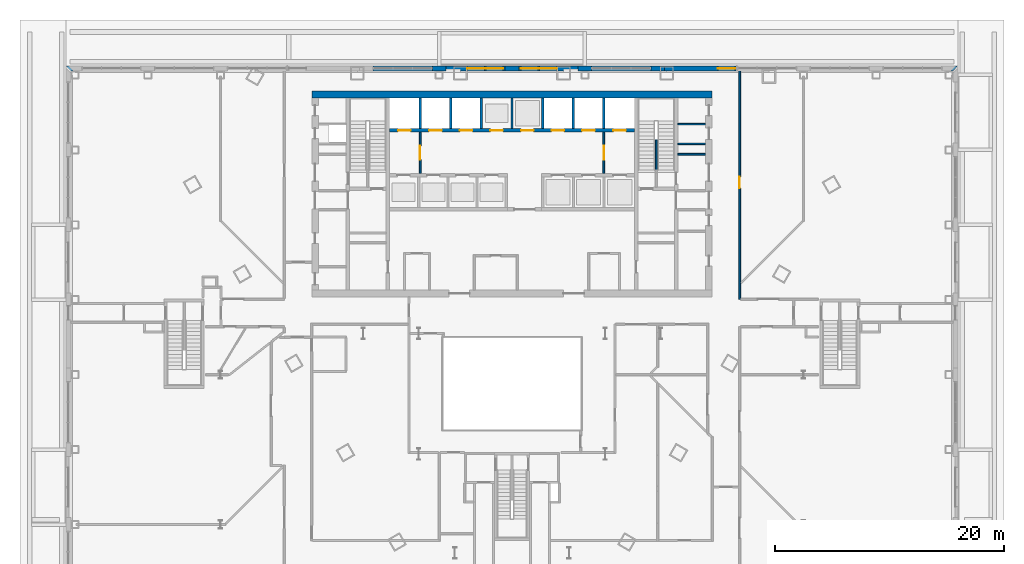
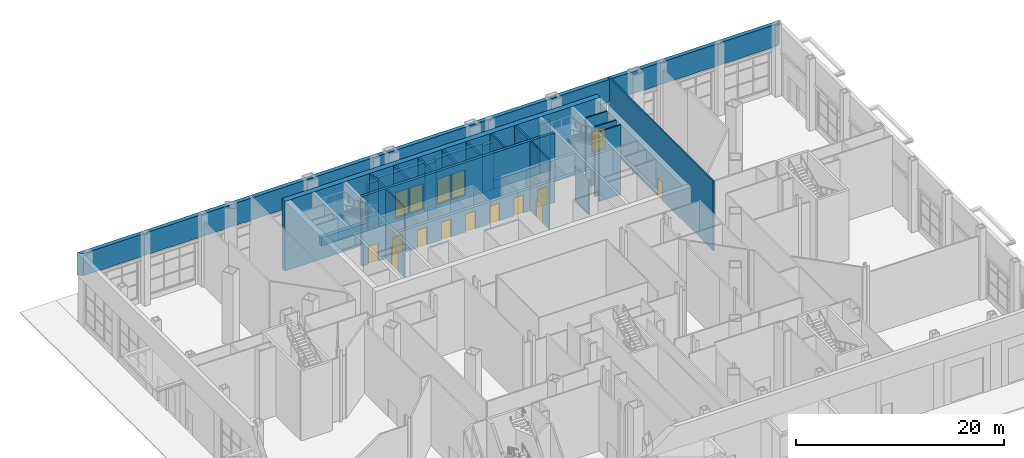
# One storey, part 22 of 34: 26 walls, 16 doors, 16 openings.
"""IFC4 building model written with IfcOpenShell, lengths in metres."""

import ifcopenshell
import ifcopenshell.guid

model = None  # the IFC model being written
_history = None  # IfcOwnerHistory: only IFC2X3 demands one
_inside = {}  # id of a spatial element -> (the spatial element, [elements in it])
_under = {}  # id of a project, library or spatial element -> (it, [spatial elements below it])
_declared = {}  # id of a project -> (the project, [libraries it declares])
_typed = {}  # id of a type object -> (the type object, [elements of that type])
_made_of = {}  # id of a material, layer set ... -> (it, [elements and type objects made of it])


def new_model(schema):
    """Start an empty IFC model of exactly this schema.

    Asked for "IFC4X3", IfcOpenShell would pick the latest addendum, in which some entities
    have other attributes; the version numbers below select the first issue.
    IFC2X3 requires an IfcOwnerHistory on every rooted entity: one is made here for all.
    """
    global model, _history
    if schema == "IFC4X3":
        model = ifcopenshell.file(schema_version=(4, 3, 0, 0))
    else:
        model = ifcopenshell.file(schema=schema)
    _inside.clear()
    _under.clear()
    _declared.clear()
    _typed.clear()
    _made_of.clear()
    _history = None
    if model.schema == "IFC2X3":
        org = make("IfcOrganization", Name="unknown")
        user = make(
            "IfcPersonAndOrganization",
            ThePerson=make("IfcPerson", FamilyName="unknown"),
            TheOrganization=org,
        )
        app = make(
            "IfcApplication",
            ApplicationDeveloper=org,
            Version="unknown",
            ApplicationFullName="unknown",
            ApplicationIdentifier="unknown",
        )
        _history = make(
            "IfcOwnerHistory",
            OwningUser=user,
            OwningApplication=app,
            ChangeAction="ADDED",
            CreationDate=0,
        )
    return model


def make(cls, **values):
    """One entity of the class cls with the attributes given. An attribute that is None is left unset."""
    return model.create_entity(
        cls, **{name: value for name, value in values.items() if value is not None}
    )


def rooted(cls, **values):
    """An entity with a GlobalId (a new one), such as an element, a storey or a relation."""
    return make(cls, GlobalId=ifcopenshell.guid.new(), OwnerHistory=_history, **values)


def si_unit(unit_type, name, prefix=None):
    """IfcSIUnit, for example si_unit("LENGTHUNIT", "METRE", prefix="MILLI")."""
    return make("IfcSIUnit", UnitType=unit_type, Prefix=prefix, Name=name)


def assignment(units):
    """IfcUnitAssignment: the units of a project."""
    return None if units is None else make("IfcUnitAssignment", Units=units)


def point(xyz):
    """IfcCartesianPoint."""
    return None if xyz is None else make("IfcCartesianPoint", Coordinates=xyz)


def direction(xyz):
    """IfcDirection."""
    return None if xyz is None else make("IfcDirection", DirectionRatios=xyz)


def frame(location, z_axis=None, x_axis=None):
    """IfcAxis2Placement3D, a coordinate frame: its origin and axes. An axis left out is left unset."""
    return make(
        "IfcAxis2Placement3D",
        Location=point(location),
        Axis=direction(z_axis),
        RefDirection=direction(x_axis),
    )


def frame_2d(location, x_axis=None):
    """IfcAxis2Placement2D, a coordinate frame in the plane: its origin and x axis."""
    return make(
        "IfcAxis2Placement2D", Location=point(location), RefDirection=direction(x_axis)
    )


def origin():
    """The frame at (0, 0, 0) with its axes left unset."""
    return frame((0.0, 0.0, 0.0))


def place(relative_to, where):
    """IfcLocalPlacement: puts the frame where relative to a parent placement (None: the world)."""
    return make(
        "IfcLocalPlacement", PlacementRelTo=relative_to, RelativePlacement=where
    )


def context(
    kind, dimensions, precision=None, world=None, true_north=None, identifier=None
):
    """IfcGeometricRepresentationContext, for example the 3D "Model" context."""
    return make(
        "IfcGeometricRepresentationContext",
        ContextIdentifier=identifier,
        ContextType=kind,
        CoordinateSpaceDimension=dimensions,
        Precision=precision,
        WorldCoordinateSystem=world,
        TrueNorth=true_north,
    )


def subcontext(parent, identifier, kind, view, scale=None):
    """IfcGeometricRepresentationSubContext, for example "Body" below "Model"."""
    return make(
        "IfcGeometricRepresentationSubContext",
        ContextIdentifier=identifier,
        ContextType=kind,
        ParentContext=parent,
        TargetScale=scale,
        TargetView=view,
    )


def project(units=None, contexts=None):
    """IfcProject with its units and contexts."""
    return rooted(
        "IfcProject",
        Name="project",
        RepresentationContexts=contexts,
        UnitsInContext=assignment(units),
    )


def spatial(cls, under=None, at=None, **own):
    """A site, building, storey or space (cls), placed at a placement, below another one or the project."""
    s = rooted(cls, ObjectPlacement=at, **own)
    if under is not None:
        _under.setdefault(under.id(), (under, []))[1].append(s)
    return s


def polyline(points):
    """IfcPolyline through the points."""
    return make("IfcPolyline", Points=[point(p) for p in points])


def profile(cls, at=None, kind="AREA", **sizes):
    """A parametric profile (cls). Its sizes go by their IFC names, for example OverallWidth=200.0."""
    return make(cls, ProfileType=kind, Position=at, **sizes)


def rectangle(**sizes):
    """IfcRectangleProfileDef."""
    return profile("IfcRectangleProfileDef", **sizes)


def outline(outer, holes=None, kind="AREA"):
    """IfcArbitraryClosedProfileDef: a profile drawn as a closed curve; with holes, ...WithVoids."""
    if holes is None:
        return make("IfcArbitraryClosedProfileDef", ProfileType=kind, OuterCurve=outer)
    return make(
        "IfcArbitraryProfileDefWithVoids",
        ProfileType=kind,
        OuterCurve=outer,
        InnerCurves=holes,
    )


def extrude(swept, where, along, depth):
    """IfcExtrudedAreaSolid: the profile swept, set in the frame where, extruded along a direction by depth."""
    return make(
        "IfcExtrudedAreaSolid",
        SweptArea=swept,
        Position=where,
        ExtrudedDirection=direction(along),
        Depth=depth,
    )


def shape(context_of_items, identifier, shape_type, items):
    """IfcShapeRepresentation: the items that make up one representation, for example the "Body"."""
    return make(
        "IfcShapeRepresentation",
        ContextOfItems=context_of_items,
        RepresentationIdentifier=identifier,
        RepresentationType=shape_type,
        Items=items,
    )


def material(Name=None, Category=None):
    """IfcMaterial."""
    return make("IfcMaterial", Name=Name, Category=Category)


def layer(
    of_material, thickness, ventilated=None, Name=None, Category=None, Priority=None
):
    """IfcMaterialLayer: one layer of a wall or slab, of a material (None: an air gap)."""
    return make(
        "IfcMaterialLayer",
        Material=of_material,
        LayerThickness=thickness,
        IsVentilated=ventilated,
        Name=Name,
        Category=Category,
        Priority=Priority,
    )


def layer_set(layers, Name=None):
    """IfcMaterialLayerSet."""
    return make("IfcMaterialLayerSet", MaterialLayers=layers, LayerSetName=Name)


def made_of(thing, what):
    """Note that an element or type object is made of a material, layer set ...; save() writes the relation."""
    if what is not None:
        _made_of.setdefault(what.id(), (what, []))[1].append(thing)
    return thing


def type_object(cls, material=None, **own):
    """A type object (cls), such as IfcWallType, which elements share."""
    return made_of(rooted(cls, **own), material)


def element(
    cls,
    number,
    at=None,
    inside=None,
    cuts=None,
    type_object=None,
    material=None,
    context=None,
    identifier="Body",
    shape_type=None,
    held_by="IfcProductDefinitionShape",
    body=None,
    shapes=None,
    **own,
):
    """One element of the class cls, such as IfcWall. Its Tag is "e" and its number.

    at: its placement. inside: the storey or other place that contains it. cuts: it is an
    opening in that element (IfcRelVoidsElement). A single representation is given by context,
    identifier, shape_type and body (its items); several are given by shapes. held_by: the class
    of the entity that holds the representations. save() writes the other relations.
    """
    e = rooted(cls, Tag="e%d" % number, ObjectPlacement=at, **own)
    if body is not None:
        shapes = [shape(context, identifier, shape_type, body)]
    if shapes is not None:
        e.Representation = make(held_by, Representations=shapes)
    if inside is not None:
        _inside.setdefault(inside.id(), (inside, []))[1].append(e)
    if cuts is not None:
        rooted(
            "IfcRelVoidsElement", RelatingBuildingElement=cuts, RelatedOpeningElement=e
        )
    if type_object is not None:
        _typed.setdefault(type_object.id(), (type_object, []))[1].append(e)
    return made_of(e, material)


def fill(opening, filler):
    """IfcRelFillsElement: the door or window that sits in an opening."""
    return rooted(
        "IfcRelFillsElement",
        RelatingOpeningElement=opening,
        RelatedBuildingElement=filler,
    )


def aggregate(whole, parts):
    """IfcRelAggregates: a whole, such as a stair, and the parts it consists of."""
    return rooted("IfcRelAggregates", RelatingObject=whole, RelatedObjects=parts)


def save(model, path):
    """Write the relations noted so far, then the file.

    IfcRelAggregates (storeys below a building ...), IfcRelContainedInSpatialStructure (elements
    in a storey), IfcRelDefinesByType, IfcRelAssociatesMaterial and IfcRelDeclares: one each for
    every whole, place, type object, material and project.
    """
    for whole, parts in _under.values():
        aggregate(whole, parts)
    for where, things in _inside.values():
        rooted(
            "IfcRelContainedInSpatialStructure",
            RelatedElements=things,
            RelatingStructure=where,
        )
    for kind, things in _typed.values():
        rooted("IfcRelDefinesByType", RelatedObjects=things, RelatingType=kind)
    for what, things in _made_of.values():
        rooted("IfcRelAssociatesMaterial", RelatedObjects=things, RelatingMaterial=what)
    for by, libraries in _declared.values():
        rooted("IfcRelDeclares", RelatingContext=by, RelatedDefinitions=libraries)
    model.write(path)


model = new_model("IFC4")

# Units and contexts
model_context = context("Model", 3, precision=1e-05, world=origin(), true_north=direction((0.0, 1.0)))
body_context = subcontext(model_context, "Body", "Model", "MODEL_VIEW")
ifc_project = project(units=[si_unit("LENGTHUNIT", "METRE"), si_unit("AREAUNIT", "SQUARE_METRE"), si_unit("VOLUMEUNIT", "CUBIC_METRE"), si_unit("PLANEANGLEUNIT", "RADIAN"), si_unit("MASSUNIT", "GRAM", prefix="KILO")], contexts=[model_context])

# Site, building, storey
site_placement = place(None, origin())
site = spatial("IfcSite", under=ifc_project, at=site_placement, CompositionType="ELEMENT")
building_placement = place(site_placement, origin())
building = spatial("IfcBuilding", under=site, at=building_placement, Name="Njiva Tower", CompositionType="ELEMENT")
storey_placement = place(building_placement, origin())
storey = spatial("IfcBuildingStorey", under=building, at=storey_placement, Name="L00", CompositionType="ELEMENT", Elevation=0.0)

# Walls
ifc_material_1 = material(Name="Blockwork", Category="masonry")
ifc_layer_1 = layer(ifc_material_1, 0.15)
ifc_layer_set_1 = layer_set([ifc_layer_1], Name="Blockwork")
wall_type_1 = type_object("IfcWallType", Name="WT1 Compartment partition 150", PredefinedType="PARTITIONING", material=ifc_layer_set_1)
wall_1_placement = place(storey_placement, frame((14.5, 15.1, 0.0), z_axis=(0.0, 0.0, 1.0), x_axis=(1.0, 0.0, 0.0)))
element("IfcWall", 1, at=wall_1_placement, inside=storey, type_object=wall_type_1, Name="Partition strip E10", PredefinedType="PARTITIONING", context=body_context, shape_type="SweptSolid", body=[
    extrude(rectangle(XDim=2.4, YDim=0.15, at=frame_2d((1.2, 0.0))), origin(), (0.0, 0.0, 1.0), 8.18),
])
ifc_material_2 = material(Name="Concrete C60/75", Category="concrete")
ifc_layer_2 = layer(ifc_material_2, 0.6)
ifc_layer_set_2 = layer_set([ifc_layer_2], Name="Concrete C60/75")
wall_type_2 = type_object("IfcWallType", Name="WT15 Core wall 600", PredefinedType="SHEAR", material=ifc_layer_set_2)
wall_2_placement = place(storey_placement, frame((-17.5, 17.7, 0.0), z_axis=(0.0, 0.0, 1.0), x_axis=(1.0, 0.0, 0.0)))
element("IfcWall", 2, at=wall_2_placement, inside=storey, type_object=wall_type_2, Name="Core wall north", PredefinedType="SHEAR", context=body_context, shape_type="SweptSolid", body=[
    extrude(rectangle(XDim=35.0, YDim=0.6, at=frame_2d((17.5, 0.0))), origin(), (0.0, 0.0, 1.0), 8.18),
])

# Wall, opening, door
ifc_layer_3 = layer(ifc_material_1, 0.15)
ifc_layer_set_3 = layer_set([ifc_layer_3], Name="Blockwork")
wall_type_3 = type_object("IfcWallType", Name="WT2 Lobby partition 150", PredefinedType="PARTITIONING", material=ifc_layer_set_3)
wall_3_placement = place(storey_placement, frame((-8.025, 10.8, 0.0), z_axis=(0.0, 0.0, 1.0), x_axis=(0.0, 1.0, 0.0)))
wall_3 = element("IfcWall", 3, at=wall_3_placement, inside=storey, type_object=wall_type_3, Name="Firefighting lobby wall A", PredefinedType="PARTITIONING", context=body_context, shape_type="SweptSolid", body=[
    extrude(rectangle(XDim=3.6, YDim=0.15, at=frame_2d((1.8, 0.0))), origin(), (0.0, 0.0, 1.0), 8.18),
])
opening_1_placement = place(wall_3_placement, frame((1.175, 0.0, 0.0)))
opening_1 = element("IfcOpeningElement", 4, at=opening_1_placement, cuts=wall_3, Name="Opening L00-D916", PredefinedType="OPENING", context=body_context, shape_type="SweptSolid", body=[
    extrude(rectangle(XDim=1.25, YDim=2.1, at=frame_2d((0.625, 1.05))), frame((0.0, 0.085, 0.0), z_axis=(0.0, -1.0, 0.0), x_axis=(1.0, 0.0, 0.0)), (0.0, 0.0, 1.0), 0.17),
])
ifc_material_3 = material(Name="Glazed steel fire door", Category="steel")
door_type_1 = type_object("IfcDoorType", Name="D8 Vestibule corridor door 1250x2100 glazed", OperationType="SINGLE_SWING_LEFT", PredefinedType="DOOR", material=ifc_material_3)
door_1_placement = place(opening_1_placement, origin())
door_1 = element("IfcDoor", 5, at=door_1_placement, inside=storey, type_object=door_type_1, Name="Stair vestibule corridor door", OperationType="SINGLE_SWING_RIGHT", OverallHeight=2.1, OverallWidth=1.25, PredefinedType="DOOR", context=body_context, shape_type="SweptSolid", body=[
    extrude(rectangle(XDim=1.25, YDim=2.1, at=frame_2d((0.625, 1.05))), frame((0.0, 0.025, 0.0), z_axis=(0.0, -1.0, 0.0), x_axis=(1.0, 0.0, 0.0)), (0.0, 0.0, 1.0), 0.05),
])
fill(opening_1, door_1)

wall_4_placement = place(storey_placement, frame((8.025, 10.8, 0.0), z_axis=(0.0, 0.0, 1.0), x_axis=(0.0, 1.0, 0.0)))
wall_4 = element("IfcWall", 6, at=wall_4_placement, inside=storey, type_object=wall_type_3, Name="Firefighting lobby wall B", PredefinedType="PARTITIONING", context=body_context, shape_type="SweptSolid", body=[
    extrude(rectangle(XDim=3.6, YDim=0.15, at=frame_2d((1.8, 0.0))), origin(), (0.0, 0.0, 1.0), 8.18),
])
opening_2_placement = place(wall_4_placement, frame((1.175, 0.0, 0.0)))
opening_2 = element("IfcOpeningElement", 7, at=opening_2_placement, cuts=wall_4, Name="Opening L00-D920", PredefinedType="OPENING", context=body_context, shape_type="SweptSolid", body=[
    extrude(rectangle(XDim=1.25, YDim=2.1, at=frame_2d((0.625, 1.05))), frame((0.0, 0.085, 0.0), z_axis=(0.0, -1.0, 0.0), x_axis=(1.0, 0.0, 0.0)), (0.0, 0.0, 1.0), 0.17),
])
door_2_placement = place(opening_2_placement, origin())
door_2 = element("IfcDoor", 8, at=door_2_placement, inside=storey, type_object=door_type_1, Name="Stair vestibule corridor door", OperationType="SINGLE_SWING_LEFT", OverallHeight=2.1, OverallWidth=1.25, PredefinedType="DOOR", context=body_context, shape_type="SweptSolid", body=[
    extrude(rectangle(XDim=1.25, YDim=2.1, at=frame_2d((0.625, 1.05))), frame((0.0, 0.025, 0.0), z_axis=(0.0, -1.0, 0.0), x_axis=(1.0, 0.0, 0.0)), (0.0, 0.0, 1.0), 0.05),
])
fill(opening_2, door_2)

ifc_material_4 = material(Name="Gypsum board on steel studs", Category="gypsum")
ifc_layer_4 = layer(ifc_material_4, 0.15)
ifc_layer_set_4 = layer_set([ifc_layer_4], Name="Gypsum board on steel studs")
wall_type_4 = type_object("IfcWallType", Name="WT21 Compartment wall 150", PredefinedType="PARTITIONING", material=ifc_layer_set_4)
wall_5_placement = place(storey_placement, frame((19.9, -0.211, 0.0), z_axis=(0.0, 0.0, 1.0), x_axis=(0.0, 1.0, 0.0)))
wall_5 = element("IfcWall", 9, at=wall_5_placement, inside=storey, type_object=wall_type_4, Name="Partition L00-P067", PredefinedType="PARTITIONING", context=body_context, shape_type="SweptSolid", body=[
    extrude(rectangle(XDim=20.171, YDim=0.15, at=frame_2d((10.0855, 0.0))), origin(), (0.0, 0.0, 1.0), 8.18),
])
opening_3_placement = place(wall_5_placement, frame((9.711, 0.0, 0.0)))
opening_3 = element("IfcOpeningElement", 10, at=opening_3_placement, cuts=wall_5, Name="Opening L00-D027", PredefinedType="OPENING", context=body_context, shape_type="SweptSolid", body=[
    extrude(rectangle(XDim=1.0, YDim=2.1, at=frame_2d((0.5, 1.05))), frame((0.0, 0.085, 0.0), z_axis=(0.0, -1.0, 0.0), x_axis=(1.0, 0.0, 0.0)), (0.0, 0.0, 1.0), 0.17),
])
ifc_material_5 = material(Name="Steel fire door set", Category="steel")
door_type_2 = type_object("IfcDoorType", Name="D37 Fire door 1000x2100", OperationType="SINGLE_SWING_LEFT", PredefinedType="DOOR", material=ifc_material_5)
door_3_placement = place(opening_3_placement, origin())
door_3 = element("IfcDoor", 11, at=door_3_placement, inside=storey, type_object=door_type_2, Name="Door L00-D027", OperationType="SINGLE_SWING_RIGHT", OverallHeight=2.1, OverallWidth=1.0, PredefinedType="DOOR", context=body_context, shape_type="SweptSolid", body=[
    extrude(rectangle(XDim=1.0, YDim=2.1, at=frame_2d((0.5, 1.05))), frame((0.0, 0.025, 0.0), z_axis=(0.0, -1.0, 0.0), x_axis=(1.0, 0.0, 0.0)), (0.0, 0.0, 1.0), 0.05),
])
fill(opening_3, door_3)

# Walls
ifc_layer_5 = layer(ifc_material_1, 0.15)
ifc_layer_set_5 = layer_set([ifc_layer_5], Name="Blockwork")
wall_type_5 = type_object("IfcWallType", Name="WT4 Stair partition 150", PredefinedType="PARTITIONING", material=ifc_layer_set_5)
wall_6_placement = place(storey_placement, frame((12.6, 11.1, 0.0), z_axis=(0.0, 0.0, 1.0), x_axis=(0.0, 1.0, 0.0)))
element("IfcWall", 12, at=wall_6_placement, inside=storey, type_object=wall_type_5, Name="Stair B dividing wall", PredefinedType="PARTITIONING", context=body_context, shape_type="SweptSolid", body=[
    extrude(rectangle(XDim=2.62, YDim=0.15, at=frame_2d((1.31, 0.0))), origin(), (0.0, 0.0, 1.0), 4.0),
])
for number, where, z_axis, x_axis, name in (
    (13, (14.5, 12.475, 0.0), (0.0, 0.0, 1.0), (1.0, 0.0, 0.0), "Stair B basement vestibule wall north"),
    (14, (14.5, 13.375, 0.0), (0.0, 0.0, 1.0), (1.0, 0.0, 0.0), "Stair B basement pressurisation shaft wall"),
):
    element("IfcWall", number, at=place(storey_placement, frame(where, z_axis=z_axis, x_axis=x_axis)), inside=storey, type_object=wall_type_5, Name=name, PredefinedType="PARTITIONING", context=body_context, shape_type="SweptSolid", body=[
        extrude(rectangle(XDim=2.4, YDim=0.15, at=frame_2d((1.2, 0.0))), origin(), (0.0, 0.0, 1.0), 8.18),
    ])
ifc_material_6 = material(Name="Concrete C40/50", Category="concrete")
ifc_layer_6 = layer(ifc_material_6, 0.2)
ifc_layer_set_6 = layer_set([ifc_layer_6], Name="Concrete C40/50")
wall_type_6 = type_object("IfcWallType", Name="WT6 Lift shaft wall 200", PredefinedType="SHEAR", material=ifc_layer_set_6)
for number, where, z_axis, x_axis, name in (
    (15, (-8.025, 14.7, 0.0), (0.0, 0.0, 1.0), (0.0, 1.0, 0.0), "Shaft wall CN1"),
    (16, (-5.35, 14.7, 0.0), (0.0, 0.0, 1.0), (0.0, 1.0, 0.0), "Shaft wall CN2"),
    (17, (-2.675, 14.7, 0.0), (0.0, 0.0, 1.0), (0.0, 1.0, 0.0), "Shaft wall CN3"),
    (18, (0.0, 14.7, 0.0), (0.0, 0.0, 1.0), (0.0, 1.0, 0.0), "Shaft wall CN4"),
    (19, (2.675, 14.7, 0.0), (0.0, 0.0, 1.0), (0.0, 1.0, 0.0), "Shaft wall CN5"),
    (20, (5.35, 14.7, 0.0), (0.0, 0.0, 1.0), (0.0, 1.0, 0.0), "Shaft wall CN6"),
    (21, (8.025, 14.7, 0.0), (0.0, 0.0, 1.0), (0.0, 1.0, 0.0), "Shaft wall CN7"),
):
    element("IfcWall", number, at=place(storey_placement, frame(where, z_axis=z_axis, x_axis=x_axis)), inside=storey, type_object=wall_type_6, Name=name, PredefinedType="SHEAR", context=body_context, shape_type="SweptSolid", body=[
        extrude(rectangle(XDim=2.7, YDim=0.2, at=frame_2d((1.35, 0.0))), origin(), (0.0, 0.0, 1.0), 8.18),
    ])

# Wall, openings, doors
ifc_layer_7 = layer(ifc_material_6, 0.3)
ifc_layer_set_7 = layer_set([ifc_layer_7], Name="Concrete C40/50")
wall_type_7 = type_object("IfcWallType", Name="WT7 Lift shaft wall 300", PredefinedType="SHEAR", material=ifc_layer_set_7)
wall_7_placement = place(storey_placement, frame((-10.7, 14.55, 0.0), z_axis=(0.0, 0.0, 1.0), x_axis=(1.0, 0.0, 0.0)))
wall_7 = element("IfcWall", 22, at=wall_7_placement, inside=storey, type_object=wall_type_7, Name="Shaft wall north row lobby side", PredefinedType="SHEAR", context=body_context, shape_type="SweptSolid", body=[
    extrude(rectangle(XDim=21.4, YDim=0.3, at=frame_2d((10.7, 0.0))), origin(), (0.0, 0.0, 1.0), 8.18),
])
opening_4_placement = place(wall_7_placement, frame((0.7375, 0.0, 0.0)))
opening_4 = element("IfcOpeningElement", 23, at=opening_4_placement, cuts=wall_7, Name="Opening L00-D901", PredefinedType="OPENING", context=body_context, shape_type="SweptSolid", body=[
    extrude(rectangle(XDim=1.1, YDim=2.1, at=frame_2d((0.55, 1.05))), frame((0.0, 0.16, 0.0), z_axis=(0.0, -1.0, 0.0), x_axis=(1.0, 0.0, 0.0)), (0.0, 0.0, 1.0), 0.32),
])
opening_5_placement = place(wall_7_placement, frame((3.4625, 0.0, 0.0)))
opening_5 = element("IfcOpeningElement", 24, at=opening_5_placement, cuts=wall_7, Name="Opening L00-D902", PredefinedType="OPENING", context=body_context, shape_type="SweptSolid", body=[
    extrude(rectangle(XDim=1.1, YDim=2.1, at=frame_2d((0.55, 1.05))), frame((0.0, 0.16, 0.0), z_axis=(0.0, -1.0, 0.0), x_axis=(1.0, 0.0, 0.0)), (0.0, 0.0, 1.0), 0.32),
])
opening_6_placement = place(wall_7_placement, frame((6.1375, 0.0, 0.0)))
opening_6 = element("IfcOpeningElement", 25, at=opening_6_placement, cuts=wall_7, Name="Opening L00-D903", PredefinedType="OPENING", context=body_context, shape_type="SweptSolid", body=[
    extrude(rectangle(XDim=1.1, YDim=2.1, at=frame_2d((0.55, 1.05))), frame((0.0, 0.16, 0.0), z_axis=(0.0, -1.0, 0.0), x_axis=(1.0, 0.0, 0.0)), (0.0, 0.0, 1.0), 0.32),
])
opening_7_placement = place(wall_7_placement, frame((8.8125, 0.0, 0.0)))
opening_7 = element("IfcOpeningElement", 26, at=opening_7_placement, cuts=wall_7, Name="Opening L00-D904", PredefinedType="OPENING", context=body_context, shape_type="SweptSolid", body=[
    extrude(rectangle(XDim=1.1, YDim=2.1, at=frame_2d((0.55, 1.05))), frame((0.0, 0.16, 0.0), z_axis=(0.0, -1.0, 0.0), x_axis=(1.0, 0.0, 0.0)), (0.0, 0.0, 1.0), 0.32),
])
opening_8_placement = place(wall_7_placement, frame((11.4875, 0.0, 0.0)))
opening_8 = element("IfcOpeningElement", 27, at=opening_8_placement, cuts=wall_7, Name="Opening L00-D905", PredefinedType="OPENING", context=body_context, shape_type="SweptSolid", body=[
    extrude(rectangle(XDim=1.1, YDim=2.1, at=frame_2d((0.55, 1.05))), frame((0.0, 0.16, 0.0), z_axis=(0.0, -1.0, 0.0), x_axis=(1.0, 0.0, 0.0)), (0.0, 0.0, 1.0), 0.32),
])
opening_9_placement = place(wall_7_placement, frame((14.1625, 0.0, 0.0)))
opening_9 = element("IfcOpeningElement", 28, at=opening_9_placement, cuts=wall_7, Name="Opening L00-D906", PredefinedType="OPENING", context=body_context, shape_type="SweptSolid", body=[
    extrude(rectangle(XDim=1.1, YDim=2.1, at=frame_2d((0.55, 1.05))), frame((0.0, 0.16, 0.0), z_axis=(0.0, -1.0, 0.0), x_axis=(1.0, 0.0, 0.0)), (0.0, 0.0, 1.0), 0.32),
])
opening_10_placement = place(wall_7_placement, frame((16.8375, 0.0, 0.0)))
opening_10 = element("IfcOpeningElement", 29, at=opening_10_placement, cuts=wall_7, Name="Opening L00-D907", PredefinedType="OPENING", context=body_context, shape_type="SweptSolid", body=[
    extrude(rectangle(XDim=1.1, YDim=2.1, at=frame_2d((0.55, 1.05))), frame((0.0, 0.16, 0.0), z_axis=(0.0, -1.0, 0.0), x_axis=(1.0, 0.0, 0.0)), (0.0, 0.0, 1.0), 0.32),
])
opening_11_placement = place(wall_7_placement, frame((19.5625, 0.0, 0.0)))
opening_11 = element("IfcOpeningElement", 30, at=opening_11_placement, cuts=wall_7, Name="Opening L00-D908", PredefinedType="OPENING", context=body_context, shape_type="SweptSolid", body=[
    extrude(rectangle(XDim=1.1, YDim=2.1, at=frame_2d((0.55, 1.05))), frame((0.0, 0.16, 0.0), z_axis=(0.0, -1.0, 0.0), x_axis=(1.0, 0.0, 0.0)), (0.0, 0.0, 1.0), 0.32),
])
ifc_material_7 = material(Name="Stainless steel sliding door", Category="steel")
door_type_3 = type_object("IfcDoorType", Name="LD Lift landing door 1100x2100", OperationType="SLIDING_TO_LEFT", PredefinedType="DOOR", material=ifc_material_7)
door_4_placement = place(opening_4_placement, origin())
door_4 = element("IfcDoor", 31, at=door_4_placement, inside=storey, type_object=door_type_3, Name="Lift landing door FF1", OperationType="SLIDING_TO_LEFT", OverallHeight=2.1, OverallWidth=1.1, PredefinedType="DOOR", context=body_context, shape_type="SweptSolid", body=[
    extrude(rectangle(XDim=1.1, YDim=2.1, at=frame_2d((0.55, 1.05))), frame((0.0, 0.025, 0.0), z_axis=(0.0, -1.0, 0.0), x_axis=(1.0, 0.0, 0.0)), (0.0, 0.0, 1.0), 0.05),
])
fill(opening_4, door_4)
door_5_placement = place(opening_5_placement, origin())
door_5 = element("IfcDoor", 32, at=door_5_placement, inside=storey, type_object=door_type_3, Name="Lift landing door LB1", OperationType="SLIDING_TO_LEFT", OverallHeight=2.1, OverallWidth=1.1, PredefinedType="DOOR", context=body_context, shape_type="SweptSolid", body=[
    extrude(rectangle(XDim=1.1, YDim=2.1, at=frame_2d((0.55, 1.05))), frame((0.0, 0.025, 0.0), z_axis=(0.0, -1.0, 0.0), x_axis=(1.0, 0.0, 0.0)), (0.0, 0.0, 1.0), 0.05),
])
fill(opening_5, door_5)
door_6_placement = place(opening_6_placement, origin())
door_6 = element("IfcDoor", 33, at=door_6_placement, inside=storey, type_object=door_type_3, Name="Lift landing door LB2", OperationType="SLIDING_TO_LEFT", OverallHeight=2.1, OverallWidth=1.1, PredefinedType="DOOR", context=body_context, shape_type="SweptSolid", body=[
    extrude(rectangle(XDim=1.1, YDim=2.1, at=frame_2d((0.55, 1.05))), frame((0.0, 0.025, 0.0), z_axis=(0.0, -1.0, 0.0), x_axis=(1.0, 0.0, 0.0)), (0.0, 0.0, 1.0), 0.05),
])
fill(opening_6, door_6)
door_7_placement = place(opening_7_placement, origin())
door_7 = element("IfcDoor", 34, at=door_7_placement, inside=storey, type_object=door_type_3, Name="Lift landing door LB3", OperationType="SLIDING_TO_LEFT", OverallHeight=2.1, OverallWidth=1.1, PredefinedType="DOOR", context=body_context, shape_type="SweptSolid", body=[
    extrude(rectangle(XDim=1.1, YDim=2.1, at=frame_2d((0.55, 1.05))), frame((0.0, 0.025, 0.0), z_axis=(0.0, -1.0, 0.0), x_axis=(1.0, 0.0, 0.0)), (0.0, 0.0, 1.0), 0.05),
])
fill(opening_7, door_7)
door_8_placement = place(opening_8_placement, origin())
door_8 = element("IfcDoor", 35, at=door_8_placement, inside=storey, type_object=door_type_3, Name="Lift landing door SA2", OperationType="SLIDING_TO_LEFT", OverallHeight=2.1, OverallWidth=1.1, PredefinedType="DOOR", context=body_context, shape_type="SweptSolid", body=[
    extrude(rectangle(XDim=1.1, YDim=2.1, at=frame_2d((0.55, 1.05))), frame((0.0, 0.025, 0.0), z_axis=(0.0, -1.0, 0.0), x_axis=(1.0, 0.0, 0.0)), (0.0, 0.0, 1.0), 0.05),
])
fill(opening_8, door_8)
door_9_placement = place(opening_9_placement, origin())
door_9 = element("IfcDoor", 36, at=door_9_placement, inside=storey, type_object=door_type_3, Name="Lift landing door FR1", OperationType="SLIDING_TO_LEFT", OverallHeight=2.1, OverallWidth=1.1, PredefinedType="DOOR", context=body_context, shape_type="SweptSolid", body=[
    extrude(rectangle(XDim=1.1, YDim=2.1, at=frame_2d((0.55, 1.05))), frame((0.0, 0.025, 0.0), z_axis=(0.0, -1.0, 0.0), x_axis=(1.0, 0.0, 0.0)), (0.0, 0.0, 1.0), 0.05),
])
fill(opening_9, door_9)
door_10_placement = place(opening_10_placement, origin())
door_10 = element("IfcDoor", 37, at=door_10_placement, inside=storey, type_object=door_type_3, Name="Lift landing door FR2", OperationType="SLIDING_TO_LEFT", OverallHeight=2.1, OverallWidth=1.1, PredefinedType="DOOR", context=body_context, shape_type="SweptSolid", body=[
    extrude(rectangle(XDim=1.1, YDim=2.1, at=frame_2d((0.55, 1.05))), frame((0.0, 0.025, 0.0), z_axis=(0.0, -1.0, 0.0), x_axis=(1.0, 0.0, 0.0)), (0.0, 0.0, 1.0), 0.05),
])
fill(opening_10, door_10)
door_11_placement = place(opening_11_placement, origin())
door_11 = element("IfcDoor", 38, at=door_11_placement, inside=storey, type_object=door_type_3, Name="Lift landing door FF2", OperationType="SLIDING_TO_LEFT", OverallHeight=2.1, OverallWidth=1.1, PredefinedType="DOOR", context=body_context, shape_type="SweptSolid", body=[
    extrude(rectangle(XDim=1.1, YDim=2.1, at=frame_2d((0.55, 1.05))), frame((0.0, 0.025, 0.0), z_axis=(0.0, -1.0, 0.0), x_axis=(1.0, 0.0, 0.0)), (0.0, 0.0, 1.0), 0.05),
])
fill(opening_11, door_11)

# Walls
ifc_material_8 = material(Name="Brick masonry", Category="masonry")
ifc_layer_8 = layer(ifc_material_8, 0.45)
ifc_layer_set_8 = layer_set([ifc_layer_8], Name="Brick masonry")
wall_type_8 = type_object("IfcWallType", Name="WT90 Brick pier and spandrel wall 450", PredefinedType="SOLIDWALL", material=ifc_layer_set_8)
wall_8_placement = place(storey_placement, frame((38.775, 19.975, 5.4), z_axis=(0.0, 0.0, 1.0), x_axis=(-1.0, 0.0, 0.0)))
element("IfcWall", 39, at=wall_8_placement, inside=storey, type_object=wall_type_8, Name="Podium frieze N", PredefinedType="SOLIDWALL", context=body_context, shape_type="SweptSolid", body=[
    extrude(outline(polyline([(-0.225, -0.225), (77.775, -0.225), (77.325, 0.225), (0.225, 0.225), (-0.225, -0.225)])), origin(), (0.0, 0.0, 1.0), 2.6),
])
wall_9_placement = place(storey_placement, frame((13.3333, 19.975, -0.4), z_axis=(0.0, 0.0, 1.0), x_axis=(-1.0, 0.0, 0.0)))
element("IfcWall", 40, at=wall_9_placement, inside=storey, type_object=wall_type_8, Name="Podium pier N5", PredefinedType="SOLIDWALL", context=body_context, shape_type="SweptSolid", body=[
    extrude(outline(polyline([(0.0, -0.225), (1.2, -0.225), (1.2, 0.225), (0.0, 0.225), (0.0, -0.225)])), origin(), (0.0, 0.0, 1.0), 5.8),
])
for number, where, z_axis, x_axis, name in (
    (41, (6.9667, 19.975, -0.4), (0.0, 0.0, 1.0), (-1.0, 0.0, 0.0), "Podium pier N6"),
    (42, (0.6, 19.975, -0.4), (0.0, 0.0, 1.0), (-1.0, 0.0, 0.0), "Podium pier N7"),
    (43, (-5.7667, 19.975, -0.4), (0.0, 0.0, 1.0), (-1.0, 0.0, 0.0), "Podium pier N8"),
):
    element("IfcWall", number, at=place(storey_placement, frame(where, z_axis=z_axis, x_axis=x_axis)), inside=storey, type_object=wall_type_8, Name=name, PredefinedType="SOLIDWALL", context=body_context, shape_type="SweptSolid", body=[
        extrude(outline(polyline([(0.0, -0.225), (1.2, -0.225), (1.2, 0.225), (0.0, 0.225), (0.0, -0.225)])), origin(), (0.0, 0.0, 1.0), 5.51),
    ])
for number, where, z_axis, x_axis, name in (
    (44, (12.1333, 19.975, -0.4), (0.0, 0.0, 1.0), (-1.0, 0.0, 0.0), "Shopfront plinth N5"),
    (45, (-6.9667, 19.975, -0.4), (0.0, 0.0, 1.0), (-1.0, 0.0, 0.0), "Shopfront plinth N8"),
):
    element("IfcWall", number, at=place(storey_placement, frame(where, z_axis=z_axis, x_axis=x_axis)), inside=storey, type_object=wall_type_8, Name=name, PredefinedType="SOLIDWALL", context=body_context, shape_type="SweptSolid", body=[
        extrude(outline(polyline([(0.0, -0.225), (5.1666, -0.225), (5.1666, 0.225), (0.0, 0.225), (0.0, -0.225)])), origin(), (0.0, 0.0, 1.0), 1.0),
    ])

# Wall, opening, door
ifc_layer_9 = layer(ifc_material_8, 0.45)
ifc_layer_set_9 = layer_set([ifc_layer_9], Name="Brick masonry")
wall_type_9 = type_object("IfcWallType", Name="WT91 Entrance infill wall 450", PredefinedType="SOLIDWALL", material=ifc_layer_set_9)
wall_10_placement = place(storey_placement, frame((19.6, 19.975, -0.4), z_axis=(0.0, 0.0, 1.0), x_axis=(-1.0, 0.0, 0.0)))
wall_10 = element("IfcWall", 46, at=wall_10_placement, inside=storey, type_object=wall_type_9, Name="Exit infill N4", PredefinedType="SOLIDWALL", context=body_context, shape_type="SweptSolid", body=[
    extrude(outline(polyline([(0.0, -0.225), (6.2667, -0.225), (6.2667, 0.225), (0.0, 0.225), (0.0, -0.225)])), origin(), (0.0, 0.0, 1.0), 5.8),
])
opening_12_placement = place(wall_10_placement, frame((0.1, 0.0, 0.4)))
opening_12 = element("IfcOpeningElement", 47, at=opening_12_placement, cuts=wall_10, Name="Opening L00-ED2", PredefinedType="OPENING", context=body_context, shape_type="SweptSolid", body=[
    extrude(rectangle(XDim=1.5, YDim=2.4, at=frame_2d((0.75, 1.2))), frame((0.0, 0.235, 0.0), z_axis=(0.0, -1.0, 0.0), x_axis=(1.0, 0.0, 0.0)), (0.0, 0.0, 1.0), 0.47),
])
ifc_material_9 = material(Name="Steel frame door leaf", Category="steel")
door_type_4 = type_object("IfcDoorType", Name="D97 Exit discharge door set 1500x2400", OperationType="DOUBLE_DOOR_SINGLE_SWING", PredefinedType="DOOR", material=ifc_material_9)
door_12_placement = place(opening_12_placement, frame((1.5, 0.0, 0.0), z_axis=(0.0, 0.0, 1.0), x_axis=(-1.0, 0.0, 0.0)))
door_12 = element("IfcDoor", 48, at=door_12_placement, inside=storey, type_object=door_type_4, Name="Exit door FCB", OperationType="DOUBLE_DOOR_SINGLE_SWING", OverallHeight=2.4, OverallWidth=1.5, PredefinedType="DOOR", context=body_context, shape_type="SweptSolid", body=[
    extrude(rectangle(XDim=1.5, YDim=2.4, at=frame_2d((0.75, 1.2))), frame((0.0, 0.025, 0.0), z_axis=(0.0, -1.0, 0.0), x_axis=(1.0, 0.0, 0.0)), (0.0, 0.0, 1.0), 0.05),
])
fill(opening_12, door_12)

# Wall, openings, doors
wall_11_placement = place(storey_placement, frame((5.7667, 19.975, -0.4), z_axis=(0.0, 0.0, 1.0), x_axis=(-1.0, 0.0, 0.0)))
wall_11 = element("IfcWall", 49, at=wall_11_placement, inside=storey, type_object=wall_type_9, Name="Entrance infill N6", PredefinedType="SOLIDWALL", context=body_context, shape_type="SweptSolid", body=[
    extrude(outline(polyline([(0.0, -0.225), (5.1667, -0.225), (5.1667, 0.225), (0.0, 0.225), (0.0, -0.225)])), origin(), (0.0, 0.0, 1.0), 5.8),
])
opening_13_placement = place(wall_11_placement, frame((1.8734, 0.0, 0.4)))
opening_13 = element("IfcOpeningElement", 50, at=opening_13_placement, cuts=wall_11, Name="Opening L00-D04", PredefinedType="OPENING", context=body_context, shape_type="SweptSolid", body=[
    extrude(rectangle(XDim=1.5, YDim=3.0, at=frame_2d((0.75, 1.5))), frame((0.0, 0.235, 0.0), z_axis=(0.0, -1.0, 0.0), x_axis=(1.0, 0.0, 0.0)), (0.0, 0.0, 1.0), 0.47),
])
opening_14_placement = place(wall_11_placement, frame((3.4934, 0.0, 0.4)))
opening_14 = element("IfcOpeningElement", 51, at=opening_14_placement, cuts=wall_11, Name="Opening L00-D16", PredefinedType="OPENING", context=body_context, shape_type="SweptSolid", body=[
    extrude(rectangle(XDim=1.5, YDim=3.0, at=frame_2d((0.75, 1.5))), frame((0.0, 0.235, 0.0), z_axis=(0.0, -1.0, 0.0), x_axis=(1.0, 0.0, 0.0)), (0.0, 0.0, 1.0), 0.47),
])
ifc_material_10 = material(Name="Aluminium frame with clear glazing", Category="aluminium")
door_type_5 = type_object("IfcDoorType", Name="D96 Tower entrance door 1500x3000", OperationType="DOUBLE_DOOR_DOUBLE_SWING", PredefinedType="DOOR", material=ifc_material_10)
door_13_placement = place(opening_13_placement, frame((1.5, 0.0, 0.0), z_axis=(0.0, 0.0, 1.0), x_axis=(-1.0, 0.0, 0.0)))
door_13 = element("IfcDoor", 52, at=door_13_placement, inside=storey, type_object=door_type_5, Name="Tower entrance door", OperationType="DOUBLE_DOOR_DOUBLE_SWING", OverallHeight=3.0, OverallWidth=1.5, PredefinedType="DOOR", context=body_context, shape_type="SweptSolid", body=[
    extrude(rectangle(XDim=1.5, YDim=3.0, at=frame_2d((0.75, 1.5))), frame((0.0, 0.025, 0.0), z_axis=(0.0, -1.0, 0.0), x_axis=(1.0, 0.0, 0.0)), (0.0, 0.0, 1.0), 0.05),
])
fill(opening_13, door_13)
door_14_placement = place(opening_14_placement, frame((1.5, 0.0, 0.0), z_axis=(0.0, 0.0, 1.0), x_axis=(-1.0, 0.0, 0.0)))
door_14 = element("IfcDoor", 53, at=door_14_placement, inside=storey, type_object=door_type_5, Name="Tower entrance door", OperationType="DOUBLE_DOOR_DOUBLE_SWING", OverallHeight=3.0, OverallWidth=1.5, PredefinedType="DOOR", context=body_context, shape_type="SweptSolid", body=[
    extrude(rectangle(XDim=1.5, YDim=3.0, at=frame_2d((0.75, 1.5))), frame((0.0, 0.025, 0.0), z_axis=(0.0, -1.0, 0.0), x_axis=(1.0, 0.0, 0.0)), (0.0, 0.0, 1.0), 0.05),
])
fill(opening_14, door_14)

wall_12_placement = place(storey_placement, frame((-0.6, 19.975, -0.4), z_axis=(0.0, 0.0, 1.0), x_axis=(-1.0, 0.0, 0.0)))
wall_12 = element("IfcWall", 54, at=wall_12_placement, inside=storey, type_object=wall_type_9, Name="Entrance infill N7", PredefinedType="SOLIDWALL", context=body_context, shape_type="SweptSolid", body=[
    extrude(outline(polyline([(0.0, -0.225), (5.1667, -0.225), (5.1667, 0.225), (0.0, 0.225), (0.0, -0.225)])), origin(), (0.0, 0.0, 1.0), 5.8),
])
opening_15_placement = place(wall_12_placement, frame((0.1734, 0.0, 0.4)))
opening_15 = element("IfcOpeningElement", 55, at=opening_15_placement, cuts=wall_12, Name="Opening L00-D05", PredefinedType="OPENING", context=body_context, shape_type="SweptSolid", body=[
    extrude(rectangle(XDim=1.5, YDim=3.0, at=frame_2d((0.75, 1.5))), frame((0.0, 0.235, 0.0), z_axis=(0.0, -1.0, 0.0), x_axis=(1.0, 0.0, 0.0)), (0.0, 0.0, 1.0), 0.47),
])
opening_16_placement = place(wall_12_placement, frame((1.7934, 0.0, 0.4)))
opening_16 = element("IfcOpeningElement", 56, at=opening_16_placement, cuts=wall_12, Name="Opening L00-D17", PredefinedType="OPENING", context=body_context, shape_type="SweptSolid", body=[
    extrude(rectangle(XDim=1.5, YDim=3.0, at=frame_2d((0.75, 1.5))), frame((0.0, 0.235, 0.0), z_axis=(0.0, -1.0, 0.0), x_axis=(1.0, 0.0, 0.0)), (0.0, 0.0, 1.0), 0.47),
])
door_15_placement = place(opening_15_placement, frame((1.5, 0.0, 0.0), z_axis=(0.0, 0.0, 1.0), x_axis=(-1.0, 0.0, 0.0)))
door_15 = element("IfcDoor", 57, at=door_15_placement, inside=storey, type_object=door_type_5, Name="Tower entrance door", OperationType="DOUBLE_DOOR_DOUBLE_SWING", OverallHeight=3.0, OverallWidth=1.5, PredefinedType="DOOR", context=body_context, shape_type="SweptSolid", body=[
    extrude(rectangle(XDim=1.5, YDim=3.0, at=frame_2d((0.75, 1.5))), frame((0.0, 0.025, 0.0), z_axis=(0.0, -1.0, 0.0), x_axis=(1.0, 0.0, 0.0)), (0.0, 0.0, 1.0), 0.05),
])
fill(opening_15, door_15)
door_16_placement = place(opening_16_placement, frame((1.5, 0.0, 0.0), z_axis=(0.0, 0.0, 1.0), x_axis=(-1.0, 0.0, 0.0)))
door_16 = element("IfcDoor", 58, at=door_16_placement, inside=storey, type_object=door_type_5, Name="Tower entrance door", OperationType="DOUBLE_DOOR_DOUBLE_SWING", OverallHeight=3.0, OverallWidth=1.5, PredefinedType="DOOR", context=body_context, shape_type="SweptSolid", body=[
    extrude(rectangle(XDim=1.5, YDim=3.0, at=frame_2d((0.75, 1.5))), frame((0.0, 0.025, 0.0), z_axis=(0.0, -1.0, 0.0), x_axis=(1.0, 0.0, 0.0)), (0.0, 0.0, 1.0), 0.05),
])
fill(opening_16, door_16)

save(model, "model.ifc")
